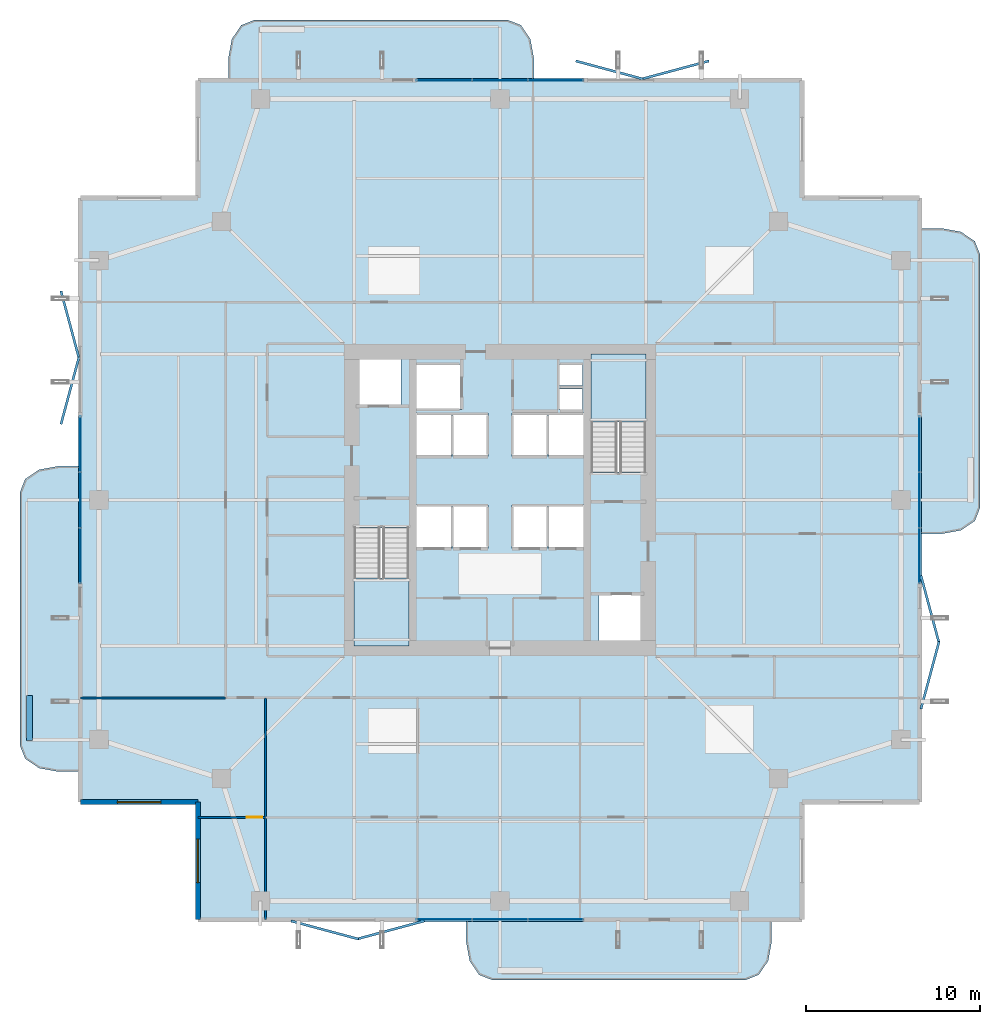
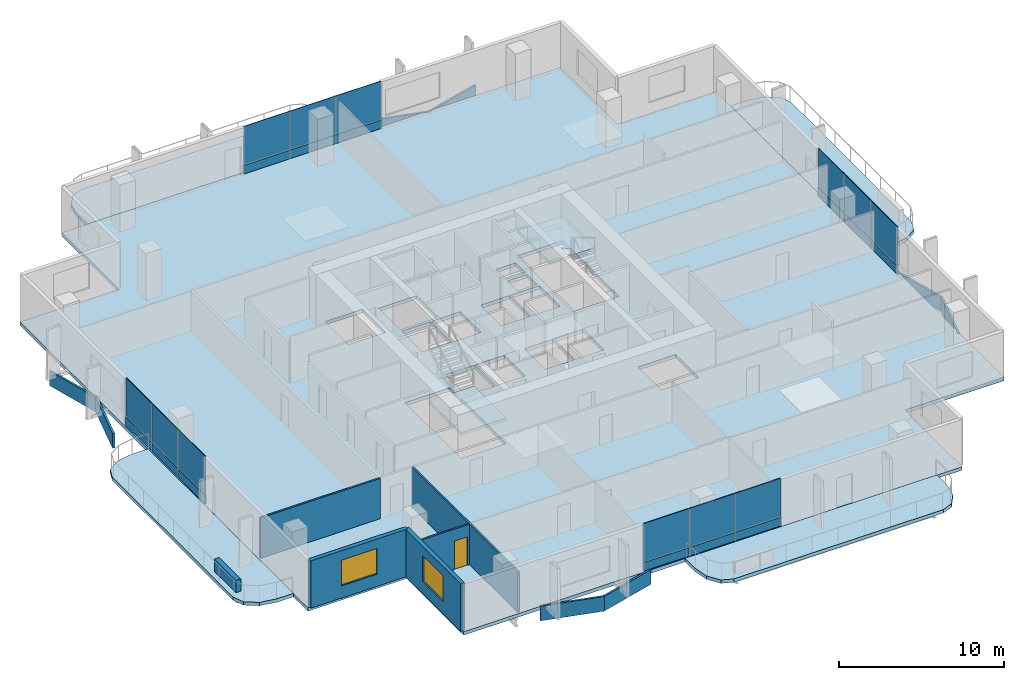
# One storey, part 17 of 24: 32 plates, 7 slabs, 6 walls, 2 windows, 1 door, 3 openings, 6 elements without a shape of their own.
"""IFC4 building model written with IfcOpenShell, lengths in metres."""

from ifc_helpers import new_model, si_unit, direction, frame, frame_2d, origin, origin_2d, place, context, subcontext, project, spatial, polyline, rectangle, outline, extrude, material, layer, layer_set, type_object, element, fill, aggregate, save


model = new_model("IFC4")

# Units and contexts
model_context = context("Model", 3, precision=1e-05, world=origin(), true_north=direction((0.0, 1.0)))
body_context = subcontext(model_context, "Body", "Model", "MODEL_VIEW")
ifc_project = project(units=[si_unit("LENGTHUNIT", "METRE"), si_unit("AREAUNIT", "SQUARE_METRE"), si_unit("VOLUMEUNIT", "CUBIC_METRE"), si_unit("PLANEANGLEUNIT", "RADIAN"), si_unit("MASSUNIT", "GRAM", prefix="KILO")], contexts=[model_context])

# Site, building, storey
site_placement = place(None, origin())
site = spatial("IfcSite", under=ifc_project, at=site_placement, CompositionType="ELEMENT")
building_placement = place(site_placement, origin())
building = spatial("IfcBuilding", under=site, at=building_placement, Name="Belovzor Exchange Tower", CompositionType="ELEMENT")
storey_placement = place(building_placement, frame((0.0, 0.0, 168.300048828125)))
storey = spatial("IfcBuildingStorey", under=building, at=storey_placement, Name="L41", CompositionType="ELEMENT", Elevation=168.300048828125)

# Slab
ifc_material_1 = material(Name="Concrete C40/50", Category="concrete")
ifc_layer_1 = layer(ifc_material_1, 0.2548828125)
ifc_layer_set_1 = layer_set([ifc_layer_1], Name="Concrete C40/50")
slab_type_1 = type_object("IfcSlabType", Name="Composite Waist Floor Deck Slab 255", PredefinedType="FLOOR", material=ifc_layer_set_1)
slab_1_placement = place(storey_placement, frame((0.0, 0.0, -0.255126953125)))
element("IfcSlab", 1, at=slab_1_placement, inside=storey, type_object=slab_type_1, Name="SL-F255 Structural Slab L41", PredefinedType="FLOOR", context=body_context, shape_type="SweptSolid", body=[
    extrude(outline(polyline([(11.39990234375, 4.5), (46.199951171875, 4.5), (46.199951171875, 11.39990234375), (53.10009765625, 11.39990234375), (53.10009765625, 46.199951171875), (46.199951171875, 46.199951171875), (46.199951171875, 53.10009765625), (11.39990234375, 53.10009765625), (11.39990234375, 46.199951171875), (4.5, 46.199951171875), (4.5, 11.39990234375), (11.39990234375, 11.39990234375), (11.39990234375, 4.5)]), holes=[polyline([(20.39990234375, 27.175048828125), (20.39990234375, 20.39990234375), (23.550048828125, 20.39990234375), (23.550048828125, 27.175048828125), (20.39990234375, 27.175048828125)]), polyline([(37.199951171875, 30.425048828125), (37.199951171875, 37.199951171875), (34.050048828125, 37.199951171875), (34.050048828125, 30.425048828125), (37.199951171875, 30.425048828125)]), polyline([(20.5, 34.199951171875), (23.10009765625, 34.199951171875), (23.10009765625, 37.0), (20.5, 37.0), (20.5, 34.199951171875)]), polyline([(34.5, 20.60009765625), (37.10009765625, 20.60009765625), (37.10009765625, 23.39990234375), (34.5, 23.39990234375), (34.5, 20.60009765625)]), polyline([(24.0, 34.0), (26.60009765625, 34.0), (26.60009765625, 36.60009765625), (24.0, 36.60009765625), (24.0, 34.0)]), polyline([(24.0, 26.0), (26.0, 26.0), (26.0, 28.5), (24.0, 28.5), (24.0, 26.0)]), polyline([(26.10009765625, 26.0), (28.10009765625, 26.0), (28.10009765625, 28.5), (26.10009765625, 28.5), (26.10009765625, 26.0)]), polyline([(29.5, 26.0), (31.5, 26.0), (31.5, 28.5), (29.5, 28.5), (29.5, 26.0)]), polyline([(31.60009765625, 26.0), (33.60009765625, 26.0), (33.60009765625, 28.5), (31.60009765625, 28.5), (31.60009765625, 26.0)]), polyline([(24.0, 31.300048828125), (26.0, 31.300048828125), (26.0, 33.800048828125), (24.0, 33.800048828125), (24.0, 31.300048828125)]), polyline([(26.10009765625, 31.300048828125), (28.10009765625, 31.300048828125), (28.10009765625, 33.800048828125), (26.10009765625, 33.800048828125), (26.10009765625, 31.300048828125)]), polyline([(29.5, 31.300048828125), (31.5, 31.300048828125), (31.5, 33.800048828125), (29.5, 33.800048828125), (29.5, 31.300048828125)]), polyline([(31.60009765625, 31.300048828125), (33.60009765625, 31.300048828125), (33.60009765625, 33.800048828125), (31.60009765625, 33.800048828125), (31.60009765625, 31.300048828125)]), polyline([(32.199951171875, 34.0), (33.550048828125, 34.0), (33.550048828125, 35.199951171875), (32.199951171875, 35.199951171875), (32.199951171875, 34.0)]), polyline([(32.199951171875, 35.39990234375), (33.550048828125, 35.39990234375), (33.550048828125, 36.60009765625), (32.199951171875, 36.60009765625), (32.199951171875, 35.39990234375)])]), origin(), (0.0, 0.0, 1.0), 0.255126953125),
])

# Curtain wall, plates
ifc_material_2 = material(Name="Anodised Aluminium Framing", Category="aluminium")
ifc_layer_2 = layer(ifc_material_2, 0.179931640625)
ifc_layer_set_2 = layer_set([ifc_layer_2], Name="Anodised Aluminium Framing")
curtain_wall_type = type_object("IfcCurtainWallType", Name="Recessed Loggia Low-Iron Triple-Glazed Curtain Wall", PredefinedType="NOTDEFINED", material=ifc_layer_set_2)
curtain_wall_1_placement = place(storey_placement, origin())
curtain_wall_1 = element("IfcCurtainWall", 2, at=curtain_wall_1_placement, inside=storey, type_object=curtain_wall_type, Name="CW3 Recessed Loggia Low-Iron Triple-Glazed Curtain Wall L41", PredefinedType="NOTDEFINED")
ifc_material_3 = material(Name="Solar-Control Triple Glazing", Category="glass")
ifc_layer_3 = layer(ifc_material_3, 0.0439453125)
ifc_layer_set_3 = layer_set([ifc_layer_3], Name="Solar-Control Triple Glazing")
plate_type_1 = type_object("IfcPlateType", Name="Insulated Solar Glazing Curtain Panel 44", PredefinedType="CURTAIN_PANEL", material=ifc_layer_set_3)
plate_1_placement = place(storey_placement, frame((32.0, 4.6298828125, 0.630859375), z_axis=(0.0, 0.0, 1.0), x_axis=(-1.0, 0.0, 0.0)))
plate_1 = element("IfcPlate", 3, at=plate_1_placement, type_object=plate_type_1, Name="GLZ-44 Glazed Curtain Panel 1", PredefinedType="CURTAIN_PANEL", context=body_context, shape_type="SweptSolid", body=[
    extrude(rectangle(XDim=3.18408203125, YDim=0.0439453125, at=origin_2d()), origin(), (0.0, 0.0, 1.0), 2.864013671875),
])
plate_2_placement = place(storey_placement, frame((28.800048828125, 4.6298828125, 0.630859375), z_axis=(0.0, 0.0, 1.0), x_axis=(-1.0, 0.0, 0.0)))
plate_2 = element("IfcPlate", 4, at=plate_2_placement, type_object=plate_type_1, Name="GLZ-44 Glazed Curtain Panel 2", PredefinedType="CURTAIN_PANEL", context=body_context, shape_type="SweptSolid", body=[
    extrude(rectangle(XDim=3.18408203125, YDim=0.0439453125, at=origin_2d()), origin(), (0.0, 0.0, 1.0), 2.864013671875),
])
plate_3_placement = place(storey_placement, frame((25.60009765625, 4.6298828125, 0.630859375), z_axis=(0.0, 0.0, 1.0), x_axis=(-1.0, 0.0, 0.0)))
plate_3 = element("IfcPlate", 5, at=plate_3_placement, type_object=plate_type_1, Name="GLZ-44 Glazed Curtain Panel 3", PredefinedType="CURTAIN_PANEL", context=body_context, shape_type="SweptSolid", body=[
    extrude(rectangle(XDim=3.18408203125, YDim=0.0439453125, at=origin_2d()), origin(), (0.0, 0.0, 1.0), 2.864013671875),
])

curtain_wall_2_placement = place(storey_placement, origin())
curtain_wall_2 = element("IfcCurtainWall", 6, at=curtain_wall_2_placement, inside=storey, type_object=curtain_wall_type, Name="CW3 Recessed Loggia Low-Iron Triple-Glazed Curtain Wall L41", PredefinedType="NOTDEFINED")
plate_4_placement = place(storey_placement, frame((25.60009765625, 52.969970703125, 0.630859375), z_axis=(0.0, 0.0, 1.0), x_axis=(1.0, 0.0, 0.0)))
plate_4 = element("IfcPlate", 7, at=plate_4_placement, type_object=plate_type_1, Name="GLZ-44 Glazed Curtain Panel 1", PredefinedType="CURTAIN_PANEL", context=body_context, shape_type="SweptSolid", body=[
    extrude(rectangle(XDim=3.18408203125, YDim=0.0439453125, at=origin_2d()), origin(), (0.0, 0.0, 1.0), 2.864013671875),
])
plate_5_placement = place(storey_placement, frame((28.800048828125, 52.969970703125, 0.630859375), z_axis=(0.0, 0.0, 1.0), x_axis=(1.0, 0.0, 0.0)))
plate_5 = element("IfcPlate", 8, at=plate_5_placement, type_object=plate_type_1, Name="GLZ-44 Glazed Curtain Panel 2", PredefinedType="CURTAIN_PANEL", context=body_context, shape_type="SweptSolid", body=[
    extrude(rectangle(XDim=3.18408203125, YDim=0.0439453125, at=origin_2d()), origin(), (0.0, 0.0, 1.0), 2.864013671875),
])
plate_6_placement = place(storey_placement, frame((32.0, 52.969970703125, 0.630859375), z_axis=(0.0, 0.0, 1.0), x_axis=(1.0, 0.0, 0.0)))
plate_6 = element("IfcPlate", 9, at=plate_6_placement, type_object=plate_type_1, Name="GLZ-44 Glazed Curtain Panel 3", PredefinedType="CURTAIN_PANEL", context=body_context, shape_type="SweptSolid", body=[
    extrude(rectangle(XDim=3.18408203125, YDim=0.0439453125, at=origin_2d()), origin(), (0.0, 0.0, 1.0), 2.864013671875),
])

curtain_wall_3_placement = place(storey_placement, origin())
curtain_wall_3 = element("IfcCurtainWall", 10, at=curtain_wall_3_placement, inside=storey, type_object=curtain_wall_type, Name="CW3 Recessed Loggia Low-Iron Triple-Glazed Curtain Wall L41", PredefinedType="NOTDEFINED")
plate_7_placement = place(storey_placement, frame((4.6298828125, 25.60009765625, 0.630859375), z_axis=(0.0, 0.0, 1.0), x_axis=(0.0, 1.0, 0.0)))
plate_7 = element("IfcPlate", 11, at=plate_7_placement, type_object=plate_type_1, Name="GLZ-44 Glazed Curtain Panel 1", PredefinedType="CURTAIN_PANEL", context=body_context, shape_type="SweptSolid", body=[
    extrude(rectangle(XDim=3.18408203125, YDim=0.0439453125, at=origin_2d()), origin(), (0.0, 0.0, 1.0), 2.864013671875),
])
plate_8_placement = place(storey_placement, frame((4.6298828125, 28.800048828125, 0.630859375), z_axis=(0.0, 0.0, 1.0), x_axis=(0.0, 1.0, 0.0)))
plate_8 = element("IfcPlate", 12, at=plate_8_placement, type_object=plate_type_1, Name="GLZ-44 Glazed Curtain Panel 2", PredefinedType="CURTAIN_PANEL", context=body_context, shape_type="SweptSolid", body=[
    extrude(rectangle(XDim=3.18408203125, YDim=0.0439453125, at=origin_2d()), origin(), (0.0, 0.0, 1.0), 2.864013671875),
])
plate_9_placement = place(storey_placement, frame((4.6298828125, 32.0, 0.630859375), z_axis=(0.0, 0.0, 1.0), x_axis=(0.0, 1.0, 0.0)))
plate_9 = element("IfcPlate", 13, at=plate_9_placement, type_object=plate_type_1, Name="GLZ-44 Glazed Curtain Panel 3", PredefinedType="CURTAIN_PANEL", context=body_context, shape_type="SweptSolid", body=[
    extrude(rectangle(XDim=3.18408203125, YDim=0.0439453125, at=origin_2d()), origin(), (0.0, 0.0, 1.0), 2.864013671875),
])

curtain_wall_4_placement = place(storey_placement, origin())
curtain_wall_4 = element("IfcCurtainWall", 14, at=curtain_wall_4_placement, inside=storey, type_object=curtain_wall_type, Name="CW3 Recessed Loggia Low-Iron Triple-Glazed Curtain Wall L41", PredefinedType="NOTDEFINED")
plate_10_placement = place(storey_placement, frame((52.969970703125, 32.0, 0.630859375), z_axis=(0.0, 0.0, 1.0), x_axis=(0.0, -1.0, 0.0)))
plate_10 = element("IfcPlate", 15, at=plate_10_placement, type_object=plate_type_1, Name="GLZ-44 Glazed Curtain Panel 1", PredefinedType="CURTAIN_PANEL", context=body_context, shape_type="SweptSolid", body=[
    extrude(rectangle(XDim=3.18408203125, YDim=0.0439453125, at=origin_2d()), origin(), (0.0, 0.0, 1.0), 2.864013671875),
])
plate_11_placement = place(storey_placement, frame((52.969970703125, 28.800048828125, 0.630859375), z_axis=(0.0, 0.0, 1.0), x_axis=(0.0, -1.0, 0.0)))
plate_11 = element("IfcPlate", 16, at=plate_11_placement, type_object=plate_type_1, Name="GLZ-44 Glazed Curtain Panel 2", PredefinedType="CURTAIN_PANEL", context=body_context, shape_type="SweptSolid", body=[
    extrude(rectangle(XDim=3.18408203125, YDim=0.0439453125, at=origin_2d()), origin(), (0.0, 0.0, 1.0), 2.864013671875),
])
plate_12_placement = place(storey_placement, frame((52.969970703125, 25.60009765625, 0.630859375), z_axis=(0.0, 0.0, 1.0), x_axis=(0.0, -1.0, 0.0)))
plate_12 = element("IfcPlate", 17, at=plate_12_placement, type_object=plate_type_1, Name="GLZ-44 Glazed Curtain Panel 3", PredefinedType="CURTAIN_PANEL", context=body_context, shape_type="SweptSolid", body=[
    extrude(rectangle(XDim=3.18408203125, YDim=0.0439453125, at=origin_2d()), origin(), (0.0, 0.0, 1.0), 2.864013671875),
])

# Plates
ifc_material_4 = material(Name="Extruded Architectural Terracotta", Category="masonry")
ifc_layer_4 = layer(ifc_material_4, 0.139892578125)
ifc_layer_set_4 = layer_set([ifc_layer_4], Name="Extruded Architectural Terracotta")
plate_type_2 = type_object("IfcPlateType", Name="Mid-Tower Folded Zigzag Terracotta Spandrel Louvre 120", PredefinedType="USERDEFINED", material=ifc_layer_set_4)
for number, where, z_axis, x_axis, name in (
    (18, (18.699951171875, 4.030029296875, -1.065185546875), (0.0, 0.0, 1.0), (0.965812803231, -0.259240485101, 0.0), "LVR-ZZ2 Zigzag Terracotta Spandrel Louvre L41 S1A"),
    (19, (22.5, 4.030029296875, -1.065185546875), (0.0, 0.0, 1.0), (0.965812803231, 0.259240485101, 0.0), "LVR-ZZ2 Zigzag Terracotta Spandrel Louvre L41 S1B"),
    (20, (53.570068359375, 18.699951171875, -1.065185546875), (0.0, 0.0, 1.0), (0.259240485101, 0.965812803231, 0.0), "LVR-ZZ2 Zigzag Terracotta Spandrel Louvre L41 E1A"),
    (21, (53.570068359375, 22.5, -1.065185546875), (0.0, 0.0, 1.0), (-0.259240485101, 0.965812803231, 0.0), "LVR-ZZ2 Zigzag Terracotta Spandrel Louvre L41 E1B"),
    (22, (35.10009765625, 53.570068359375, -1.065185546875), (0.0, 0.0, 1.0), (0.965812803231, -0.259240485101, 0.0), "LVR-ZZ2 Zigzag Terracotta Spandrel Louvre L41 N2A"),
    (23, (38.89990234375, 53.570068359375, -1.065185546875), (0.0, 0.0, 1.0), (0.965812803231, 0.259240485101, 0.0), "LVR-ZZ2 Zigzag Terracotta Spandrel Louvre L41 N2B"),
    (24, (4.030029296875, 35.10009765625, -1.065185546875), (0.0, 0.0, 1.0), (0.259240485101, 0.965812803231, 0.0), "LVR-ZZ2 Zigzag Terracotta Spandrel Louvre L41 W2A"),
    (25, (4.030029296875, 38.89990234375, -1.065185546875), (0.0, 0.0, 1.0), (-0.259240485101, 0.965812803231, 0.0), "LVR-ZZ2 Zigzag Terracotta Spandrel Louvre L41 W2B"),
):
    element("IfcPlate", number, at=place(storey_placement, frame(where, z_axis=z_axis, x_axis=x_axis)), inside=storey, type_object=plate_type_2, Name=name, ObjectType="SPANDREL_LOUVRE", PredefinedType="USERDEFINED", context=body_context, shape_type="SweptSolid", body=[
        extrude(rectangle(XDim=4.014892578125, YDim=0.139892578125, at=origin_2d()), origin(), (0.0, 0.0, 1.0), 1.080078125),
    ])

# Stair, slab
ifc_material_5 = material(Name="Concrete C40/50", Category="concrete")
stair_type = type_object("IfcStairType", Name="Reinforced Concrete Dogleg Escape Stair 1350", PredefinedType="HALF_TURN_STAIR", material=ifc_material_5)
stair_1_placement = place(storey_placement, origin())
stair_1 = element("IfcStair", 26, at=stair_1_placement, inside=storey, type_object=stair_type, Name="L41 ST-1", PredefinedType="HALF_TURN_STAIR")
ifc_material_6 = material(Name="Concrete C40/50", Category="concrete")
ifc_layer_5 = layer(ifc_material_6, 0.199951171875)
ifc_layer_set_5 = layer_set([ifc_layer_5], Name="Concrete C40/50")
slab_type_2 = type_object("IfcSlabType", Name="Reinforced Concrete Stair Half-Landing Slab 200", PredefinedType="LANDING", material=ifc_layer_set_5)
slab_2_placement = place(storey_placement, frame((0.0, 0.0, 1.675048828125)))
slab_2 = element("IfcSlab", 27, at=slab_2_placement, type_object=slab_type_2, Name="ST-1 landing 1", PredefinedType="LANDING", context=body_context, shape_type="SweptSolid", body=[
    extrude(outline(polyline([(20.39990234375, 24.300048828125), (20.39990234375, 20.39990234375), (23.550048828125, 20.39990234375), (23.550048828125, 24.300048828125), (20.39990234375, 24.300048828125)])), origin(), (0.0, 0.0, 1.0), 0.199951171875),
])
aggregate(stair_1, [slab_2])

stair_2_placement = place(storey_placement, origin())
stair_2 = element("IfcStair", 28, at=stair_2_placement, inside=storey, type_object=stair_type, Name="L41 ST-2", PredefinedType="HALF_TURN_STAIR")
slab_3_placement = place(storey_placement, frame((0.0, 0.0, 1.675048828125)))
slab_3 = element("IfcSlab", 29, at=slab_3_placement, type_object=slab_type_2, Name="ST-2 landing 1", PredefinedType="LANDING", context=body_context, shape_type="SweptSolid", body=[
    extrude(outline(polyline([(37.199951171875, 33.300048828125), (37.199951171875, 37.199951171875), (34.050048828125, 37.199951171875), (34.050048828125, 33.300048828125), (37.199951171875, 33.300048828125)])), origin(), (0.0, 0.0, 1.0), 0.199951171875),
])
aggregate(stair_2, [slab_3])

# Plate
ifc_material_7 = material(Name="Extruded Architectural Terracotta", Category="masonry")
ifc_layer_6 = layer(ifc_material_7, 0.090087890625)
ifc_layer_set_6 = layer_set([ifc_layer_6], Name="Extruded Architectural Terracotta")
plate_type_3 = type_object("IfcPlateType", Name="Terracotta Shadow-Box Spandrel Panel 90", PredefinedType="CURTAIN_PANEL", material=ifc_layer_set_6)
plate_13_placement = place(storey_placement, frame((32.0, 4.6298828125, 0.00048828125), z_axis=(0.0, 0.0, 1.0), x_axis=(-1.0, 0.0, 0.0)))
plate_13 = element("IfcPlate", 30, at=plate_13_placement, type_object=plate_type_3, Name="SPD-90 Spandrel Panel 1", PredefinedType="CURTAIN_PANEL", context=body_context, shape_type="SweptSolid", body=[
    extrude(rectangle(XDim=3.18408203125, YDim=0.090087890625, at=origin_2d()), origin(), (0.0, 0.0, 1.0), 0.626953125),
])

plate_14_placement = place(storey_placement, frame((28.800048828125, 4.6298828125, 0.00048828125), z_axis=(0.0, 0.0, 1.0), x_axis=(-1.0, 0.0, 0.0)))
plate_14 = element("IfcPlate", 31, at=plate_14_placement, type_object=plate_type_3, Name="SPD-90 Spandrel Panel 2", PredefinedType="CURTAIN_PANEL", context=body_context, shape_type="SweptSolid", body=[
    extrude(rectangle(XDim=3.18408203125, YDim=0.090087890625, at=origin_2d()), origin(), (0.0, 0.0, 1.0), 0.626953125),
])

plate_15_placement = place(storey_placement, frame((25.60009765625, 4.6298828125, 0.00048828125), z_axis=(0.0, 0.0, 1.0), x_axis=(-1.0, 0.0, 0.0)))
plate_15 = element("IfcPlate", 32, at=plate_15_placement, type_object=plate_type_3, Name="SPD-90 Spandrel Panel 3", PredefinedType="CURTAIN_PANEL", context=body_context, shape_type="SweptSolid", body=[
    extrude(rectangle(XDim=3.18408203125, YDim=0.090087890625, at=origin_2d()), origin(), (0.0, 0.0, 1.0), 0.626953125),
])

aggregate(curtain_wall_1, [plate_13, plate_1, plate_14, plate_2, plate_15, plate_3])

plate_16_placement = place(storey_placement, frame((25.60009765625, 52.969970703125, 0.00048828125), z_axis=(0.0, 0.0, 1.0), x_axis=(1.0, 0.0, 0.0)))
plate_16 = element("IfcPlate", 33, at=plate_16_placement, type_object=plate_type_3, Name="SPD-90 Spandrel Panel 1", PredefinedType="CURTAIN_PANEL", context=body_context, shape_type="SweptSolid", body=[
    extrude(rectangle(XDim=3.18408203125, YDim=0.090087890625, at=origin_2d()), origin(), (0.0, 0.0, 1.0), 0.626953125),
])

plate_17_placement = place(storey_placement, frame((28.800048828125, 52.969970703125, 0.00048828125), z_axis=(0.0, 0.0, 1.0), x_axis=(1.0, 0.0, 0.0)))
plate_17 = element("IfcPlate", 34, at=plate_17_placement, type_object=plate_type_3, Name="SPD-90 Spandrel Panel 2", PredefinedType="CURTAIN_PANEL", context=body_context, shape_type="SweptSolid", body=[
    extrude(rectangle(XDim=3.18408203125, YDim=0.090087890625, at=origin_2d()), origin(), (0.0, 0.0, 1.0), 0.626953125),
])

plate_18_placement = place(storey_placement, frame((32.0, 52.969970703125, 0.00048828125), z_axis=(0.0, 0.0, 1.0), x_axis=(1.0, 0.0, 0.0)))
plate_18 = element("IfcPlate", 35, at=plate_18_placement, type_object=plate_type_3, Name="SPD-90 Spandrel Panel 3", PredefinedType="CURTAIN_PANEL", context=body_context, shape_type="SweptSolid", body=[
    extrude(rectangle(XDim=3.18408203125, YDim=0.090087890625, at=origin_2d()), origin(), (0.0, 0.0, 1.0), 0.626953125),
])

aggregate(curtain_wall_2, [plate_16, plate_4, plate_17, plate_5, plate_18, plate_6])

plate_19_placement = place(storey_placement, frame((4.6298828125, 25.60009765625, 0.00048828125), z_axis=(0.0, 0.0, 1.0), x_axis=(0.0, 1.0, 0.0)))
plate_19 = element("IfcPlate", 36, at=plate_19_placement, type_object=plate_type_3, Name="SPD-90 Spandrel Panel 1", PredefinedType="CURTAIN_PANEL", context=body_context, shape_type="SweptSolid", body=[
    extrude(rectangle(XDim=3.18408203125, YDim=0.090087890625, at=origin_2d()), origin(), (0.0, 0.0, 1.0), 0.626953125),
])

plate_20_placement = place(storey_placement, frame((4.6298828125, 28.800048828125, 0.00048828125), z_axis=(0.0, 0.0, 1.0), x_axis=(0.0, 1.0, 0.0)))
plate_20 = element("IfcPlate", 37, at=plate_20_placement, type_object=plate_type_3, Name="SPD-90 Spandrel Panel 2", PredefinedType="CURTAIN_PANEL", context=body_context, shape_type="SweptSolid", body=[
    extrude(rectangle(XDim=3.18408203125, YDim=0.090087890625, at=origin_2d()), origin(), (0.0, 0.0, 1.0), 0.626953125),
])

plate_21_placement = place(storey_placement, frame((4.6298828125, 32.0, 0.00048828125), z_axis=(0.0, 0.0, 1.0), x_axis=(0.0, 1.0, 0.0)))
plate_21 = element("IfcPlate", 38, at=plate_21_placement, type_object=plate_type_3, Name="SPD-90 Spandrel Panel 3", PredefinedType="CURTAIN_PANEL", context=body_context, shape_type="SweptSolid", body=[
    extrude(rectangle(XDim=3.18408203125, YDim=0.090087890625, at=origin_2d()), origin(), (0.0, 0.0, 1.0), 0.626953125),
])

aggregate(curtain_wall_3, [plate_19, plate_7, plate_20, plate_8, plate_21, plate_9])

plate_22_placement = place(storey_placement, frame((52.969970703125, 32.0, 0.00048828125), z_axis=(0.0, 0.0, 1.0), x_axis=(0.0, -1.0, 0.0)))
plate_22 = element("IfcPlate", 39, at=plate_22_placement, type_object=plate_type_3, Name="SPD-90 Spandrel Panel 1", PredefinedType="CURTAIN_PANEL", context=body_context, shape_type="SweptSolid", body=[
    extrude(rectangle(XDim=3.18408203125, YDim=0.090087890625, at=origin_2d()), origin(), (0.0, 0.0, 1.0), 0.626953125),
])

plate_23_placement = place(storey_placement, frame((52.969970703125, 28.800048828125, 0.00048828125), z_axis=(0.0, 0.0, 1.0), x_axis=(0.0, -1.0, 0.0)))
plate_23 = element("IfcPlate", 40, at=plate_23_placement, type_object=plate_type_3, Name="SPD-90 Spandrel Panel 2", PredefinedType="CURTAIN_PANEL", context=body_context, shape_type="SweptSolid", body=[
    extrude(rectangle(XDim=3.18408203125, YDim=0.090087890625, at=origin_2d()), origin(), (0.0, 0.0, 1.0), 0.626953125),
])

plate_24_placement = place(storey_placement, frame((52.969970703125, 25.60009765625, 0.00048828125), z_axis=(0.0, 0.0, 1.0), x_axis=(0.0, -1.0, 0.0)))
plate_24 = element("IfcPlate", 41, at=plate_24_placement, type_object=plate_type_3, Name="SPD-90 Spandrel Panel 3", PredefinedType="CURTAIN_PANEL", context=body_context, shape_type="SweptSolid", body=[
    extrude(rectangle(XDim=3.18408203125, YDim=0.090087890625, at=origin_2d()), origin(), (0.0, 0.0, 1.0), 0.626953125),
])

aggregate(curtain_wall_4, [plate_22, plate_10, plate_23, plate_11, plate_24, plate_12])

# Slabs
ifc_material_8 = material(Name="Concrete C40/50", Category="concrete")
ifc_layer_7 = layer(ifc_material_8, 0.25)
ifc_layer_set_7 = layer_set([ifc_layer_7], Name="Concrete C40/50")
slab_type_3 = type_object("IfcSlabType", Name="Thermally Broken Planted Balcony Slab 250", PredefinedType="FLOOR", material=ifc_layer_set_7)
slab_4_placement = place(storey_placement, frame((0.0, 0.0, -0.25)))
element("IfcSlab", 42, at=slab_4_placement, inside=storey, type_object=slab_type_3, Name="SL-BAL220 Planted Balcony Loggia L41 South", PredefinedType="FLOOR", context=body_context, shape_type="SweptSolid", body=[
    extrude(outline(polyline([(26.85009765625, 4.514892578125), (26.85009765625, 3.35009765625), (27.051025390625, 2.25), (27.60009765625, 1.445068359375), (28.35009765625, 1.14990234375), (42.949951171875, 1.14990234375), (43.699951171875, 1.445068359375), (44.2490234375, 2.25), (44.449951171875, 3.35009765625), (44.449951171875, 4.514892578125), (26.85009765625, 4.514892578125)])), origin(), (0.0, 0.0, 1.0), 0.25),
])
slab_5_placement = place(storey_placement, frame((0.0, 0.0, -0.25)))
element("IfcSlab", 43, at=slab_5_placement, inside=storey, type_object=slab_type_3, Name="SL-BAL220 Planted Balcony Loggia L41 North", PredefinedType="FLOOR", context=body_context, shape_type="SweptSolid", body=[
    extrude(outline(polyline([(30.75, 53.0849609375), (30.75, 54.25), (30.549072265625, 55.35009765625), (30.0, 56.155029296875), (29.25, 56.449951171875), (14.64990234375, 56.449951171875), (13.89990234375, 56.155029296875), (13.35107421875, 55.35009765625), (13.14990234375, 54.25), (13.14990234375, 53.0849609375), (30.75, 53.0849609375)])), origin(), (0.0, 0.0, 1.0), 0.25),
])
slab_6_placement = place(storey_placement, frame((0.0, 0.0, -0.25)))
element("IfcSlab", 44, at=slab_6_placement, inside=storey, type_object=slab_type_3, Name="SL-BAL220 Planted Balcony Loggia L41 East", PredefinedType="FLOOR", context=body_context, shape_type="SweptSolid", body=[
    extrude(outline(polyline([(53.0849609375, 26.85009765625), (54.25, 26.85009765625), (55.35009765625, 27.051025390625), (56.155029296875, 27.60009765625), (56.449951171875, 28.35009765625), (56.449951171875, 42.949951171875), (56.155029296875, 43.699951171875), (55.35009765625, 44.2490234375), (54.25, 44.449951171875), (53.0849609375, 44.449951171875), (53.0849609375, 26.85009765625)])), origin(), (0.0, 0.0, 1.0), 0.25),
])
slab_7_placement = place(storey_placement, frame((0.0, 0.0, -0.25)))
element("IfcSlab", 45, at=slab_7_placement, inside=storey, type_object=slab_type_3, Name="SL-BAL220 Planted Balcony Loggia L41 West", PredefinedType="FLOOR", context=body_context, shape_type="SweptSolid", body=[
    extrude(outline(polyline([(4.514892578125, 30.75), (3.35009765625, 30.75), (2.25, 30.549072265625), (1.445068359375, 30.0), (1.14990234375, 29.25), (1.14990234375, 14.64990234375), (1.445068359375, 13.89990234375), (2.25, 13.35107421875), (3.35009765625, 13.14990234375), (4.514892578125, 13.14990234375), (4.514892578125, 30.75)])), origin(), (0.0, 0.0, 1.0), 0.25),
])

# Wall, opening, door
ifc_material_9 = material(Name="Acoustic Plasterboard on Galvanised Studs", Category="gypsum")
ifc_layer_8 = layer(ifc_material_9, 0.1201171875)
ifc_layer_set_8 = layer_set([ifc_layer_8], Name="Acoustic Plasterboard on Galvanised Studs")
wall_type_1 = type_object("IfcWallType", Name="Acoustic Double-Stud Partition Wall 120", PredefinedType="PARTITIONING", material=ifc_layer_set_8)
wall_1_placement = place(storey_placement, frame((11.39990234375, 10.51708984375, 0.0), z_axis=(0.0, 0.0, 1.0), x_axis=(1.0, 0.0, 0.0)))
wall_1 = element("IfcWall", 46, at=wall_1_placement, inside=storey, type_object=wall_type_1, Name="W-P120 Partition Wall W-L41-SHDIV-0", PredefinedType="PARTITIONING", context=body_context, shape_type="SweptSolid", body=[
    extrude(rectangle(XDim=3.900146484375, YDim=0.1201171875, at=frame_2d((1.9501953125, 0.0))), origin(), (0.0, 0.0, 1.0), 2.97998046875),
])
opening_1_placement = place(wall_1_placement, frame((2.800048828125, 0.0, 0.0)))
opening_1 = element("IfcOpeningElement", 47, at=opening_1_placement, cuts=wall_1, Name="Opening D-INT-090", PredefinedType="OPENING", context=body_context, shape_type="SweptSolid", body=[
    extrude(rectangle(XDim=0.89990234375, YDim=2.10009765625, at=frame_2d((0.449951171875, 1.050048828125))), frame((0.0, 0.070068359375, 0.0), z_axis=(0.0, -1.0, 0.0), x_axis=(1.0, 0.0, 0.0)), (0.0, 0.0, 1.0), 0.14013671875),
])
ifc_material_10 = material(Name="Veneered Hardwood Acoustic Leaf", Category="wood")
door_type = type_object("IfcDoorType", Name="Trading Suite Acoustic Single Door 900x2100", OperationType="NOTDEFINED", PredefinedType="DOOR", material=ifc_material_10)
door_placement = place(opening_1_placement, origin())
door = element("IfcDoor", 48, at=door_placement, inside=storey, type_object=door_type, Name="D-INT-090 Trading Suite Acoustic Single Door 900x2100", OperationType="SINGLE_SWING_LEFT", OverallHeight=2.10009765625, OverallWidth=0.89990234375, PredefinedType="DOOR", context=body_context, shape_type="SweptSolid", body=[
    extrude(rectangle(XDim=0.89990234375, YDim=2.10009765625, at=frame_2d((0.449951171875, 1.050048828125))), frame((0.0, 0.02490234375, 0.0), z_axis=(0.0, -1.0, 0.0), x_axis=(1.0, 0.0, 0.0)), (0.0, 0.0, 1.0), 0.050048828125),
])
fill(opening_1, door)

# Walls
wall_2_placement = place(storey_placement, frame((15.300048828125, 4.6298828125, 0.0), z_axis=(0.0, 0.0, 1.0), x_axis=(0.0, 1.0, 0.0)))
element("IfcWall", 49, at=wall_2_placement, inside=storey, type_object=wall_type_1, Name="W-P120 Partition Wall W-L41-SDIV-1", PredefinedType="PARTITIONING", context=body_context, shape_type="SweptSolid", body=[
    extrude(rectangle(XDim=12.77001953125, YDim=0.1201171875, at=frame_2d((6.385009765625, 0.0))), origin(), (0.0, 0.0, 1.0), 2.97998046875),
])
wall_3_placement = place(storey_placement, frame((4.6298828125, 17.39990234375, 0.0), z_axis=(0.0, 0.0, 1.0), x_axis=(1.0, 0.0, 0.0)))
element("IfcWall", 50, at=wall_3_placement, inside=storey, type_object=wall_type_1, Name="W-P120 Partition Wall W-L41-END-SW", PredefinedType="PARTITIONING", context=body_context, shape_type="SweptSolid", body=[
    extrude(rectangle(XDim=8.3701171875, YDim=0.1201171875, at=frame_2d((4.18505859375, 0.0))), origin(), (0.0, 0.0, 1.0), 2.97998046875),
])

# Wall, opening, window
ifc_material_11 = material(Name="Precast concrete C40/50", Category="concrete")
ifc_layer_9 = layer(ifc_material_11, 0.280029296875)
ifc_layer_set_9 = layer_set([ifc_layer_9], Name="Precast concrete C40/50")
wall_type_2 = type_object("IfcWallType", Name="Precast Concrete Notched Corner Frame Wall 280", PredefinedType="SOLIDWALL", material=ifc_layer_set_9)
wall_4_placement = place(storey_placement, frame((11.39990234375, 4.6298828125, 0.0), z_axis=(0.0, 0.0, 1.0), x_axis=(0.0, 1.0, 0.0)))
wall_4 = element("IfcWall", 51, at=wall_4_placement, inside=storey, type_object=wall_type_2, Name="W-CRN280 Precast Concrete Notched Corner Frame Wall 280 L41", PredefinedType="SOLIDWALL", context=body_context, shape_type="SweptSolid", body=[
    extrude(rectangle(XDim=6.77001953125, YDim=0.280029296875, at=frame_2d((3.385009765625, 0.0))), origin(), (0.0, 0.0, 1.0), 3.494873046875),
])
opening_2_placement = place(wall_4_placement, frame((2.135009765625, 0.0, 0.89990234375)))
opening_2 = element("IfcOpeningElement", 52, at=opening_2_placement, cuts=wall_4, Name="Opening WN-CRN250", PredefinedType="OPENING", context=body_context, shape_type="SweptSolid", body=[
    extrude(rectangle(XDim=2.5, YDim=1.89990234375, at=frame_2d((1.25, 0.949951171875))), frame((0.0, 0.14990234375, 0.0), z_axis=(0.0, -1.0, 0.0), x_axis=(1.0, 0.0, 0.0)), (0.0, 0.0, 1.0), 0.300048828125),
])
ifc_material_12 = material(Name="Thermally Broken Aluminium and Triple Glazing", Category="aluminium")
window_type = type_object("IfcWindowType", Name="Streamline Moderne Corner Wrap Ribbon Window 2500x1900", PartitioningType="SINGLE_PANEL", PredefinedType="WINDOW", material=ifc_material_12)
window_1_placement = place(opening_2_placement, origin())
window_1 = element("IfcWindow", 53, at=window_1_placement, inside=storey, type_object=window_type, Name="WN-CRN250 Streamline Moderne Corner Wrap Ribbon Window 2500x1900", OverallHeight=1.89990234375, OverallWidth=2.5, PartitioningType="SINGLE_PANEL", PredefinedType="WINDOW", context=body_context, shape_type="SweptSolid", body=[
    extrude(rectangle(XDim=2.5, YDim=1.89990234375, at=frame_2d((1.25, 0.949951171875))), frame((0.0, 0.030029296875, 0.0), z_axis=(0.0, -1.0, 0.0), x_axis=(1.0, 0.0, 0.0)), (0.0, 0.0, 1.0), 0.06005859375),
])
fill(opening_2, window_1)

wall_5_placement = place(storey_placement, frame((11.39990234375, 11.39990234375, 0.0), z_axis=(0.0, 0.0, 1.0), x_axis=(-1.0, 0.0, 0.0)))
wall_5 = element("IfcWall", 54, at=wall_5_placement, inside=storey, type_object=wall_type_2, Name="W-CRN280 Precast Concrete Notched Corner Frame Wall 280 L41", PredefinedType="SOLIDWALL", context=body_context, shape_type="SweptSolid", body=[
    extrude(rectangle(XDim=6.77001953125, YDim=0.280029296875, at=frame_2d((3.385009765625, 0.0))), origin(), (0.0, 0.0, 1.0), 3.494873046875),
])
opening_3_placement = place(wall_5_placement, frame((2.135009765625, 0.0, 0.89990234375)))
opening_3 = element("IfcOpeningElement", 55, at=opening_3_placement, cuts=wall_5, Name="Opening WN-CRN250", PredefinedType="OPENING", context=body_context, shape_type="SweptSolid", body=[
    extrude(rectangle(XDim=2.5, YDim=1.89990234375, at=frame_2d((1.25, 0.949951171875))), frame((0.0, 0.14990234375, 0.0), z_axis=(0.0, -1.0, 0.0), x_axis=(1.0, 0.0, 0.0)), (0.0, 0.0, 1.0), 0.300048828125),
])
window_2_placement = place(opening_3_placement, origin())
window_2 = element("IfcWindow", 56, at=window_2_placement, inside=storey, type_object=window_type, Name="WN-CRN250 Streamline Moderne Corner Wrap Ribbon Window 2500x1900", OverallHeight=1.89990234375, OverallWidth=2.5, PartitioningType="SINGLE_PANEL", PredefinedType="WINDOW", context=body_context, shape_type="SweptSolid", body=[
    extrude(rectangle(XDim=2.5, YDim=1.89990234375, at=frame_2d((1.25, 0.949951171875))), frame((0.0, 0.030029296875, 0.0), z_axis=(0.0, -1.0, 0.0), x_axis=(1.0, 0.0, 0.0)), (0.0, 0.0, 1.0), 0.06005859375),
])
fill(opening_3, window_2)

# Wall
ifc_material_13 = material(Name="Precast concrete C40/50", Category="concrete")
ifc_layer_10 = layer(ifc_material_13, 0.35009765625)
ifc_layer_set_10 = layer_set([ifc_layer_10], Name="Precast concrete C40/50")
wall_type_3 = type_object("IfcWallType", Name="Precast Concrete Structural Tree Planter Trough 350", PredefinedType="PARAPET", material=ifc_layer_set_10)
wall_6_placement = place(storey_placement, frame((1.699951171875, 14.949951171875, 0.0), z_axis=(0.0, 0.0, 1.0), x_axis=(0.0, 1.0, 0.0)))
element("IfcWall", 57, at=wall_6_placement, inside=storey, type_object=wall_type_3, Name="PT-350 Precast Concrete Structural Tree Planter Trough 350 L41", PredefinedType="PARAPET", context=body_context, shape_type="SweptSolid", body=[
    extrude(rectangle(XDim=2.60009765625, YDim=0.35009765625, at=frame_2d((1.300048828125, 0.0))), origin(), (0.0, 0.0, 1.0), 0.89990234375),
])

save(model, "model.ifc")
